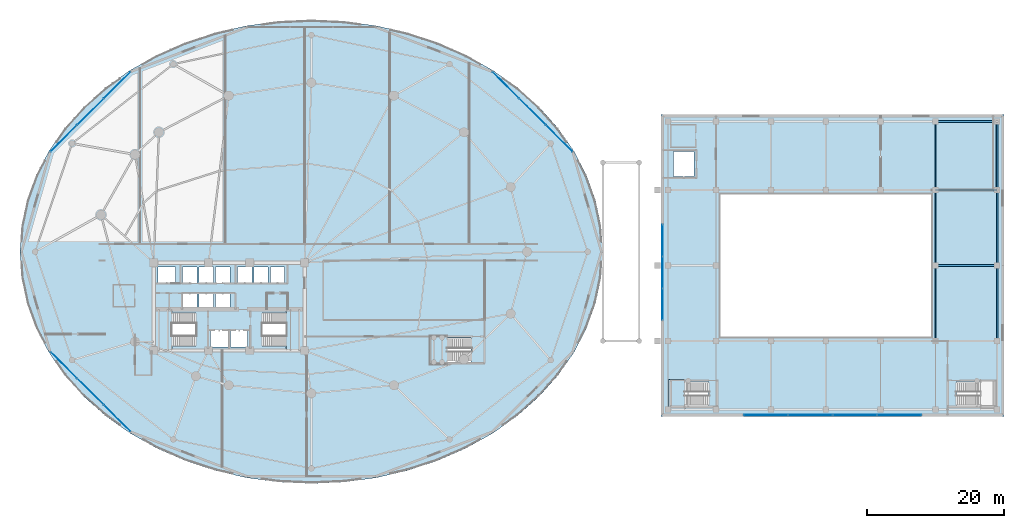
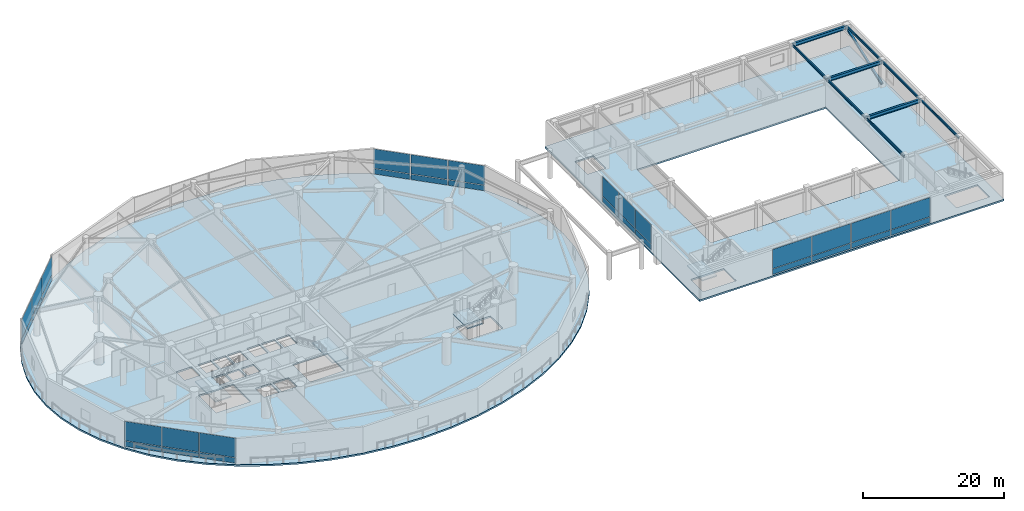
# One storey, part 24 of 40: 32 plates, 9 beams, 6 slabs, 1 member, 10 elements without a shape of their own.
"""IFC4 building model written with IfcOpenShell, lengths in metres."""

from ifc_helpers import new_model, si_unit, direction, frame, origin, origin_2d, place, context, subcontext, project, spatial, polyline, rectangle, hollow_rectangle, i_section, outline, extrude, material, layer, layer_set, material_profile, profile_set, type_object, element, aggregate, save


model = new_model("IFC4")

# Units and contexts
model_context = context("Model", 3, precision=1e-05, world=origin(), true_north=direction((0.0, 1.0)))
body_context = subcontext(model_context, "Body", "Model", "MODEL_VIEW")
ifc_project = project(units=[si_unit("LENGTHUNIT", "METRE"), si_unit("AREAUNIT", "SQUARE_METRE"), si_unit("VOLUMEUNIT", "CUBIC_METRE"), si_unit("PLANEANGLEUNIT", "RADIAN"), si_unit("MASSUNIT", "GRAM", prefix="KILO")], contexts=[model_context])

# Site, building, storey
site_placement = place(None, origin())
site = spatial("IfcSite", under=ifc_project, at=site_placement, CompositionType="ELEMENT")
building_placement = place(site_placement, origin())
building = spatial("IfcBuilding", under=site, at=building_placement, Name="Kazevale Care Tower and Concert Hall", CompositionType="ELEMENT")
storey_placement = place(building_placement, frame((0.0, 0.0, 9.60009765625)))
storey = spatial("IfcBuildingStorey", under=building, at=storey_placement, Name="L02", CompositionType="ELEMENT", Elevation=9.60009765625)

# Beams
ifc_material_1 = material(Name="Steel ASTM A572 Gr 50", Category="steel")
ifc_material_profile_1 = material_profile(ifc_material_1, i_section(OverallWidth=0.323974609375, OverallDepth=0.611083984375, WebThickness=0.0126953125, FlangeThickness=0.01904296875, at=origin_2d()), Name="W610x155")
ifc_profile_set_1 = profile_set([ifc_material_profile_1], Name="Steel ASTM A572 Gr 50")
beam_type_1 = type_object("IfcBeamType", Name="Concert Hall Frame Girder W610x155", PredefinedType="BEAM", material=ifc_profile_set_1)
for number, where, z_axis, x_axis, name in (
    (1, (136.0, 36.0, 4.21435546875), (1.0, 0.0, 0.0), (0.0, 1.0, 0.0), "beam:L02:hx:136_36"),
    (2, (136.0, 47.0, 4.21435546875), (1.0, 0.0, 0.0), (0.0, 1.0, 0.0), "beam:L02:hx:136_47"),
    (3, (136.0, 57.0, 4.21435546875), (1.0, 0.0, 0.0), (0.0, 1.0, 0.0), "beam:L02:hx:136_57"),
):
    element("IfcBeam", number, at=place(storey_placement, frame(where, z_axis=z_axis, x_axis=x_axis)), inside=storey, type_object=beam_type_1, Name=name, PredefinedType="BEAM", context=body_context, shape_type="SweptSolid", body=[
        extrude(i_section(OverallWidth=0.323974609375, OverallDepth=0.611083984375, WebThickness=0.0126953125, FlangeThickness=0.01904296875, at=origin_2d()), origin(), (0.0, 0.0, 1.0), 9.0),
    ])
ifc_material_profile_2 = material_profile(ifc_material_1, i_section(OverallWidth=0.180908203125, OverallDepth=0.4169921875, WebThickness=0.010986328125, FlangeThickness=0.018310546875, at=origin_2d()), Name="W410x85")
ifc_profile_set_2 = profile_set([ifc_material_profile_2], Name="Steel ASTM A572 Gr 50")
beam_type_2 = type_object("IfcBeamType", Name="Concert Hall Secondary Beam W410x85", PredefinedType="BEAM", material=ifc_profile_set_2)
for number, where, z_axis, x_axis, name in (
    (4, (136.0, 25.0, 4.3115234375), (0.0, 1.0, 0.0), (-1.0, 0.0, 0.0), "beam:L02:hy:136_25"),
    (5, (136.0, 36.0, 4.3115234375), (0.0, 1.0, 0.0), (-1.0, 0.0, 0.0), "beam:L02:hy:136_36"),
):
    element("IfcBeam", number, at=place(storey_placement, frame(where, z_axis=z_axis, x_axis=x_axis)), inside=storey, type_object=beam_type_2, Name=name, PredefinedType="BEAM", context=body_context, shape_type="SweptSolid", body=[
        extrude(i_section(OverallWidth=0.180908203125, OverallDepth=0.4169921875, WebThickness=0.010986328125, FlangeThickness=0.018310546875, at=origin_2d()), origin(), (0.0, 0.0, 1.0), 11.0),
    ])
beam_1_placement = place(storey_placement, frame((136.0, 47.0, 4.3115234375), z_axis=(0.0, 1.0, 0.0), x_axis=(-1.0, 0.0, 0.0)))
element("IfcBeam", 6, at=beam_1_placement, inside=storey, type_object=beam_type_2, Name="beam:L02:hy:136_47", PredefinedType="BEAM", context=body_context, shape_type="SweptSolid", body=[
    extrude(i_section(OverallWidth=0.180908203125, OverallDepth=0.4169921875, WebThickness=0.010986328125, FlangeThickness=0.018310546875, at=origin_2d()), origin(), (0.0, 0.0, 1.0), 10.0),
])
for number, where, z_axis, x_axis, name in (
    (7, (145.0, 25.0, 4.3115234375), (0.0, 1.0, 0.0), (-1.0, 0.0, 0.0), "beam:L02:hy:145_25"),
    (8, (145.0, 36.0, 4.3115234375), (0.0, 1.0, 0.0), (-1.0, 0.0, 0.0), "beam:L02:hy:145_36"),
):
    element("IfcBeam", number, at=place(storey_placement, frame(where, z_axis=z_axis, x_axis=x_axis)), inside=storey, type_object=beam_type_2, Name=name, PredefinedType="BEAM", context=body_context, shape_type="SweptSolid", body=[
        extrude(i_section(OverallWidth=0.180908203125, OverallDepth=0.4169921875, WebThickness=0.010986328125, FlangeThickness=0.018310546875, at=origin_2d()), origin(), (0.0, 0.0, 1.0), 11.0),
    ])
beam_2_placement = place(storey_placement, frame((145.0, 47.0, 4.3115234375), z_axis=(0.0, 1.0, 0.0), x_axis=(-1.0, 0.0, 0.0)))
element("IfcBeam", 9, at=beam_2_placement, inside=storey, type_object=beam_type_2, Name="beam:L02:hy:145_47", PredefinedType="BEAM", context=body_context, shape_type="SweptSolid", body=[
    extrude(i_section(OverallWidth=0.180908203125, OverallDepth=0.4169921875, WebThickness=0.010986328125, FlangeThickness=0.018310546875, at=origin_2d()), origin(), (0.0, 0.0, 1.0), 10.0),
])

# Member
ifc_material_profile_3 = material_profile(ifc_material_1, hollow_rectangle(XDim=0.300048828125, YDim=0.300048828125, WallThickness=0.02001953125, at=origin_2d()), Name="SHS300x300x20")
ifc_profile_set_3 = profile_set([ifc_material_profile_3], Name="Steel ASTM A572 Gr 50")
member_type = type_object("IfcMemberType", Name="Concert Hall Wall Brace SHS300x300x20", PredefinedType="BRACE", material=ifc_profile_set_3)
member_placement = place(storey_placement, frame((145.0, 47.0, 0.39990234375), z_axis=(0.0, 0.940283079424, 0.340393493694), x_axis=(-1.0, 0.0, 0.0)))
element("IfcMember", 10, at=member_placement, inside=storey, type_object=member_type, Name="brace:L02:hwW", PredefinedType="BRACE", context=body_context, shape_type="SweptSolid", body=[
    extrude(hollow_rectangle(XDim=0.300048828125, YDim=0.300048828125, WallThickness=0.02001953125, at=origin_2d()), origin(), (0.0, 0.0, 1.0), 10.635009765625),
])

# Curtain wall, plates
ifc_material_2 = material(Name="Aluminium 6063-T6 and Low-E Glass", Category="aluminium")
ifc_layer_1 = layer(ifc_material_2, 0.179931640625)
ifc_layer_set_1 = layer_set([ifc_layer_1], Name="Aluminium 6063-T6 and Low-E Glass")
curtain_wall_type_1 = type_object("IfcCurtainWallType", Name="Podium Double-Skin Medical Curtain Wall CW-1", PredefinedType="NOTDEFINED", material=ifc_layer_set_1)
curtain_wall_1_placement = place(storey_placement, origin())
curtain_wall_1 = element("IfcCurtainWall", 11, at=curtain_wall_1_placement, inside=storey, type_object=curtain_wall_type_1, Name="cw:L02:pod:02", PredefinedType="NOTDEFINED")
ifc_material_3 = material(Name="Low-E Laminated Glass", Category="glass")
ifc_layer_2 = layer(ifc_material_3, 0.030029296875)
ifc_layer_set_2 = layer_set([ifc_layer_2], Name="Low-E Laminated Glass")
plate_type_1 = type_object("IfcPlateType", Name="CW-1 Low-E Glazing Panel 30mm", PredefinedType="CURTAIN_PANEL", material=ifc_layer_set_2)
plate_1_placement = place(storey_placement, frame((81.121826171875, 54.533203125, 0.080078125), z_axis=(0.0, 0.0, 1.0), x_axis=(-0.708554776856, 0.705655814257, 0.0)))
plate_1 = element("IfcPlate", 12, at=plate_1_placement, type_object=plate_type_1, Name="CW-1 panel 1.1", PredefinedType="CURTAIN_PANEL", context=body_context, shape_type="SweptSolid", body=[
    extrude(rectangle(XDim=5.38427734375, YDim=0.030029296875, at=origin_2d()), origin(), (0.0, 0.0, 1.0), 0.929931640625),
])
plate_2_placement = place(storey_placement, frame((81.121826171875, 54.533203125, 1.08984375), z_axis=(0.0, 0.0, 1.0), x_axis=(-0.708554776856, 0.705655814257, 0.0)))
plate_2 = element("IfcPlate", 13, at=plate_2_placement, type_object=plate_type_1, Name="CW-1 panel 1.2", PredefinedType="CURTAIN_PANEL", context=body_context, shape_type="SweptSolid", body=[
    extrude(rectangle(XDim=5.38427734375, YDim=0.030029296875, at=origin_2d()), origin(), (0.0, 0.0, 1.0), 3.35009765625),
])
plate_3_placement = place(storey_placement, frame((77.22705078125, 58.412109375, 0.080078125), z_axis=(0.0, 0.0, 1.0), x_axis=(-0.708554776856, 0.705655814257, 0.0)))
plate_3 = element("IfcPlate", 14, at=plate_3_placement, type_object=plate_type_1, Name="CW-1 panel 2.1", PredefinedType="CURTAIN_PANEL", context=body_context, shape_type="SweptSolid", body=[
    extrude(rectangle(XDim=5.42919921875, YDim=0.030029296875, at=origin_2d()), origin(), (0.0, 0.0, 1.0), 0.929931640625),
])
plate_4_placement = place(storey_placement, frame((77.22705078125, 58.412109375, 1.08984375), z_axis=(0.0, 0.0, 1.0), x_axis=(-0.708554776856, 0.705655814257, 0.0)))
plate_4 = element("IfcPlate", 15, at=plate_4_placement, type_object=plate_type_1, Name="CW-1 panel 2.2", PredefinedType="CURTAIN_PANEL", context=body_context, shape_type="SweptSolid", body=[
    extrude(rectangle(XDim=5.42919921875, YDim=0.030029296875, at=origin_2d()), origin(), (0.0, 0.0, 1.0), 3.35009765625),
])
plate_5_placement = place(storey_placement, frame((73.332275390625, 62.290771484375, 0.080078125), z_axis=(0.0, 0.0, 1.0), x_axis=(-0.708554776856, 0.705655814257, 0.0)))
plate_5 = element("IfcPlate", 16, at=plate_5_placement, type_object=plate_type_1, Name="CW-1 panel 3.1", PredefinedType="CURTAIN_PANEL", context=body_context, shape_type="SweptSolid", body=[
    extrude(rectangle(XDim=5.38427734375, YDim=0.030029296875, at=origin_2d()), origin(), (0.0, 0.0, 1.0), 0.929931640625),
])
plate_6_placement = place(storey_placement, frame((73.332275390625, 62.290771484375, 1.08984375), z_axis=(0.0, 0.0, 1.0), x_axis=(-0.708554776856, 0.705655814257, 0.0)))
plate_6 = element("IfcPlate", 17, at=plate_6_placement, type_object=plate_type_1, Name="CW-1 panel 3.2", PredefinedType="CURTAIN_PANEL", context=body_context, shape_type="SweptSolid", body=[
    extrude(rectangle(XDim=5.38427734375, YDim=0.030029296875, at=origin_2d()), origin(), (0.0, 0.0, 1.0), 3.35009765625),
])
aggregate(curtain_wall_1, [plate_1, plate_2, plate_3, plate_4, plate_5, plate_6])

curtain_wall_2_placement = place(storey_placement, origin())
curtain_wall_2 = element("IfcCurtainWall", 18, at=curtain_wall_2_placement, inside=storey, type_object=curtain_wall_type_1, Name="cw:L02:pod:06", PredefinedType="NOTDEFINED")
plate_7_placement = place(storey_placement, frame((16.667724609375, 62.290771484375, 0.080078125), z_axis=(0.0, 0.0, 1.0), x_axis=(-0.708554776856, -0.705655814257, 0.0)))
plate_7 = element("IfcPlate", 19, at=plate_7_placement, type_object=plate_type_1, Name="CW-1 panel 1.1", PredefinedType="CURTAIN_PANEL", context=body_context, shape_type="SweptSolid", body=[
    extrude(rectangle(XDim=5.38427734375, YDim=0.030029296875, at=origin_2d()), origin(), (0.0, 0.0, 1.0), 0.929931640625),
])
plate_8_placement = place(storey_placement, frame((16.667724609375, 62.290771484375, 1.08984375), z_axis=(0.0, 0.0, 1.0), x_axis=(-0.708554776856, -0.705655814257, 0.0)))
plate_8 = element("IfcPlate", 20, at=plate_8_placement, type_object=plate_type_1, Name="CW-1 panel 1.2", PredefinedType="CURTAIN_PANEL", context=body_context, shape_type="SweptSolid", body=[
    extrude(rectangle(XDim=5.38427734375, YDim=0.030029296875, at=origin_2d()), origin(), (0.0, 0.0, 1.0), 3.35009765625),
])
plate_9_placement = place(storey_placement, frame((12.77294921875, 58.412109375, 0.080078125), z_axis=(0.0, 0.0, 1.0), x_axis=(-0.708554776856, -0.705655814257, 0.0)))
plate_9 = element("IfcPlate", 21, at=plate_9_placement, type_object=plate_type_1, Name="CW-1 panel 2.1", PredefinedType="CURTAIN_PANEL", context=body_context, shape_type="SweptSolid", body=[
    extrude(rectangle(XDim=5.42919921875, YDim=0.030029296875, at=origin_2d()), origin(), (0.0, 0.0, 1.0), 0.929931640625),
])
plate_10_placement = place(storey_placement, frame((12.77294921875, 58.412109375, 1.08984375), z_axis=(0.0, 0.0, 1.0), x_axis=(-0.708554776856, -0.705655814257, 0.0)))
plate_10 = element("IfcPlate", 22, at=plate_10_placement, type_object=plate_type_1, Name="CW-1 panel 2.2", PredefinedType="CURTAIN_PANEL", context=body_context, shape_type="SweptSolid", body=[
    extrude(rectangle(XDim=5.42919921875, YDim=0.030029296875, at=origin_2d()), origin(), (0.0, 0.0, 1.0), 3.35009765625),
])
plate_11_placement = place(storey_placement, frame((8.878173828125, 54.533203125, 0.080078125), z_axis=(0.0, 0.0, 1.0), x_axis=(-0.708554776856, -0.705655814257, 0.0)))
plate_11 = element("IfcPlate", 23, at=plate_11_placement, type_object=plate_type_1, Name="CW-1 panel 3.1", PredefinedType="CURTAIN_PANEL", context=body_context, shape_type="SweptSolid", body=[
    extrude(rectangle(XDim=5.38427734375, YDim=0.030029296875, at=origin_2d()), origin(), (0.0, 0.0, 1.0), 0.929931640625),
])
plate_12_placement = place(storey_placement, frame((8.878173828125, 54.533203125, 1.08984375), z_axis=(0.0, 0.0, 1.0), x_axis=(-0.708554776856, -0.705655814257, 0.0)))
plate_12 = element("IfcPlate", 24, at=plate_12_placement, type_object=plate_type_1, Name="CW-1 panel 3.2", PredefinedType="CURTAIN_PANEL", context=body_context, shape_type="SweptSolid", body=[
    extrude(rectangle(XDim=5.38427734375, YDim=0.030029296875, at=origin_2d()), origin(), (0.0, 0.0, 1.0), 3.35009765625),
])
aggregate(curtain_wall_2, [plate_7, plate_8, plate_9, plate_10, plate_11, plate_12])

curtain_wall_3_placement = place(storey_placement, origin())
curtain_wall_3 = element("IfcCurtainWall", 25, at=curtain_wall_3_placement, inside=storey, type_object=curtain_wall_type_1, Name="cw:L02:pod:09", PredefinedType="NOTDEFINED")
plate_13_placement = place(storey_placement, frame((8.878173828125, 21.466796875, 0.080078125), z_axis=(0.0, 0.0, 1.0), x_axis=(0.708554776856, -0.705655814257, 0.0)))
plate_13 = element("IfcPlate", 26, at=plate_13_placement, type_object=plate_type_1, Name="CW-1 panel 1.1", PredefinedType="CURTAIN_PANEL", context=body_context, shape_type="SweptSolid", body=[
    extrude(rectangle(XDim=5.38427734375, YDim=0.030029296875, at=origin_2d()), origin(), (0.0, 0.0, 1.0), 0.929931640625),
])
plate_14_placement = place(storey_placement, frame((8.878173828125, 21.466796875, 1.08984375), z_axis=(0.0, 0.0, 1.0), x_axis=(0.708554776856, -0.705655814257, 0.0)))
plate_14 = element("IfcPlate", 27, at=plate_14_placement, type_object=plate_type_1, Name="CW-1 panel 1.2", PredefinedType="CURTAIN_PANEL", context=body_context, shape_type="SweptSolid", body=[
    extrude(rectangle(XDim=5.38427734375, YDim=0.030029296875, at=origin_2d()), origin(), (0.0, 0.0, 1.0), 3.35009765625),
])
plate_15_placement = place(storey_placement, frame((12.77294921875, 17.587890625, 0.080078125), z_axis=(0.0, 0.0, 1.0), x_axis=(0.708554776856, -0.705655814257, 0.0)))
plate_15 = element("IfcPlate", 28, at=plate_15_placement, type_object=plate_type_1, Name="CW-1 panel 2.1", PredefinedType="CURTAIN_PANEL", context=body_context, shape_type="SweptSolid", body=[
    extrude(rectangle(XDim=5.42919921875, YDim=0.030029296875, at=origin_2d()), origin(), (0.0, 0.0, 1.0), 0.929931640625),
])
plate_16_placement = place(storey_placement, frame((12.77294921875, 17.587890625, 1.08984375), z_axis=(0.0, 0.0, 1.0), x_axis=(0.708554776856, -0.705655814257, 0.0)))
plate_16 = element("IfcPlate", 29, at=plate_16_placement, type_object=plate_type_1, Name="CW-1 panel 2.2", PredefinedType="CURTAIN_PANEL", context=body_context, shape_type="SweptSolid", body=[
    extrude(rectangle(XDim=5.42919921875, YDim=0.030029296875, at=origin_2d()), origin(), (0.0, 0.0, 1.0), 3.35009765625),
])
plate_17_placement = place(storey_placement, frame((16.667724609375, 13.709228515625, 0.080078125), z_axis=(0.0, 0.0, 1.0), x_axis=(0.708554776856, -0.705655814257, 0.0)))
plate_17 = element("IfcPlate", 30, at=plate_17_placement, type_object=plate_type_1, Name="CW-1 panel 3.1", PredefinedType="CURTAIN_PANEL", context=body_context, shape_type="SweptSolid", body=[
    extrude(rectangle(XDim=5.38427734375, YDim=0.030029296875, at=origin_2d()), origin(), (0.0, 0.0, 1.0), 0.929931640625),
])
plate_18_placement = place(storey_placement, frame((16.667724609375, 13.709228515625, 1.08984375), z_axis=(0.0, 0.0, 1.0), x_axis=(0.708554776856, -0.705655814257, 0.0)))
plate_18 = element("IfcPlate", 31, at=plate_18_placement, type_object=plate_type_1, Name="CW-1 panel 3.2", PredefinedType="CURTAIN_PANEL", context=body_context, shape_type="SweptSolid", body=[
    extrude(rectangle(XDim=5.38427734375, YDim=0.030029296875, at=origin_2d()), origin(), (0.0, 0.0, 1.0), 3.35009765625),
])
aggregate(curtain_wall_3, [plate_13, plate_14, plate_15, plate_16, plate_17, plate_18])

ifc_layer_3 = layer(ifc_material_2, 0.179931640625)
ifc_layer_set_3 = layer_set([ifc_layer_3], Name="Aluminium 6063-T6 and Low-E Glass")
curtain_wall_type_2 = type_object("IfcCurtainWallType", Name="Concert Hall Foyer Storefront Curtain Wall CW-6", PredefinedType="NOTDEFINED", material=ifc_layer_set_3)
curtain_wall_4_placement = place(storey_placement, origin())
curtain_wall_4 = element("IfcCurtainWall", 32, at=curtain_wall_4_placement, inside=storey, type_object=curtain_wall_type_2, Name="cw:L02:hall:S2", PredefinedType="NOTDEFINED")
ifc_layer_4 = layer(ifc_material_3, 0.031982421875)
ifc_layer_set_4 = layer_set([ifc_layer_4], Name="Low-E Laminated Glass")
plate_type_2 = type_object("IfcPlateType", Name="CW-6 Low-E Glazing Panel 32mm", PredefinedType="CURTAIN_PANEL", material=ifc_layer_set_4)
plate_19_placement = place(storey_placement, frame((111.2724609375, 14.199951171875, 0.080078125), z_axis=(0.0, 0.0, 1.0), x_axis=(1.0, 0.0, 0.0)))
plate_19 = element("IfcPlate", 33, at=plate_19_placement, type_object=plate_type_2, Name="CW-6 panel 1.1", PredefinedType="CURTAIN_PANEL", context=body_context, shape_type="SweptSolid", body=[
    extrude(rectangle(XDim=6.364990234375, YDim=0.031982421875, at=origin_2d()), origin(), (0.0, 0.0, 1.0), 0.929931640625),
])
plate_20_placement = place(storey_placement, frame((111.2724609375, 14.199951171875, 1.08984375), z_axis=(0.0, 0.0, 1.0), x_axis=(1.0, 0.0, 0.0)))
plate_20 = element("IfcPlate", 34, at=plate_20_placement, type_object=plate_type_2, Name="CW-6 panel 1.2", PredefinedType="CURTAIN_PANEL", context=body_context, shape_type="SweptSolid", body=[
    extrude(rectangle(XDim=6.364990234375, YDim=0.031982421875, at=origin_2d()), origin(), (0.0, 0.0, 1.0), 3.35009765625),
])
plate_21_placement = place(storey_placement, frame((117.7275390625, 14.199951171875, 0.080078125), z_axis=(0.0, 0.0, 1.0), x_axis=(1.0, 0.0, 0.0)))
plate_21 = element("IfcPlate", 35, at=plate_21_placement, type_object=plate_type_2, Name="CW-6 panel 2.1", PredefinedType="CURTAIN_PANEL", context=body_context, shape_type="SweptSolid", body=[
    extrude(rectangle(XDim=6.364990234375, YDim=0.031982421875, at=origin_2d()), origin(), (0.0, 0.0, 1.0), 0.929931640625),
])
plate_22_placement = place(storey_placement, frame((117.7275390625, 14.199951171875, 1.08984375), z_axis=(0.0, 0.0, 1.0), x_axis=(1.0, 0.0, 0.0)))
plate_22 = element("IfcPlate", 36, at=plate_22_placement, type_object=plate_type_2, Name="CW-6 panel 2.2", PredefinedType="CURTAIN_PANEL", context=body_context, shape_type="SweptSolid", body=[
    extrude(rectangle(XDim=6.364990234375, YDim=0.031982421875, at=origin_2d()), origin(), (0.0, 0.0, 1.0), 3.35009765625),
])
aggregate(curtain_wall_4, [plate_19, plate_20, plate_21, plate_22])

curtain_wall_5_placement = place(storey_placement, origin())
curtain_wall_5 = element("IfcCurtainWall", 37, at=curtain_wall_5_placement, inside=storey, type_object=curtain_wall_type_2, Name="cw:L02:hall:S3", PredefinedType="NOTDEFINED")
plate_23_placement = place(storey_placement, frame((124.2724609375, 14.199951171875, 0.080078125), z_axis=(0.0, 0.0, 1.0), x_axis=(1.0, 0.0, 0.0)))
plate_23 = element("IfcPlate", 38, at=plate_23_placement, type_object=plate_type_2, Name="CW-6 panel 1.1", PredefinedType="CURTAIN_PANEL", context=body_context, shape_type="SweptSolid", body=[
    extrude(rectangle(XDim=6.364990234375, YDim=0.031982421875, at=origin_2d()), origin(), (0.0, 0.0, 1.0), 0.929931640625),
])
plate_24_placement = place(storey_placement, frame((124.2724609375, 14.199951171875, 1.08984375), z_axis=(0.0, 0.0, 1.0), x_axis=(1.0, 0.0, 0.0)))
plate_24 = element("IfcPlate", 39, at=plate_24_placement, type_object=plate_type_2, Name="CW-6 panel 1.2", PredefinedType="CURTAIN_PANEL", context=body_context, shape_type="SweptSolid", body=[
    extrude(rectangle(XDim=6.364990234375, YDim=0.031982421875, at=origin_2d()), origin(), (0.0, 0.0, 1.0), 3.35009765625),
])
plate_25_placement = place(storey_placement, frame((130.7275390625, 14.199951171875, 0.080078125), z_axis=(0.0, 0.0, 1.0), x_axis=(1.0, 0.0, 0.0)))
plate_25 = element("IfcPlate", 40, at=plate_25_placement, type_object=plate_type_2, Name="CW-6 panel 2.1", PredefinedType="CURTAIN_PANEL", context=body_context, shape_type="SweptSolid", body=[
    extrude(rectangle(XDim=6.364990234375, YDim=0.031982421875, at=origin_2d()), origin(), (0.0, 0.0, 1.0), 0.929931640625),
])
plate_26_placement = place(storey_placement, frame((130.7275390625, 14.199951171875, 1.08984375), z_axis=(0.0, 0.0, 1.0), x_axis=(1.0, 0.0, 0.0)))
plate_26 = element("IfcPlate", 41, at=plate_26_placement, type_object=plate_type_2, Name="CW-6 panel 2.2", PredefinedType="CURTAIN_PANEL", context=body_context, shape_type="SweptSolid", body=[
    extrude(rectangle(XDim=6.364990234375, YDim=0.031982421875, at=origin_2d()), origin(), (0.0, 0.0, 1.0), 3.35009765625),
])
aggregate(curtain_wall_5, [plate_23, plate_24, plate_25, plate_26])

curtain_wall_6_placement = place(storey_placement, origin())
curtain_wall_6 = element("IfcCurtainWall", 42, at=curtain_wall_6_placement, inside=storey, type_object=curtain_wall_type_2, Name="cw:L02:hall:W2", PredefinedType="NOTDEFINED")
plate_27_placement = place(storey_placement, frame((96.199951171875, 39.644287109375, 0.080078125), z_axis=(0.0, 0.0, 1.0), x_axis=(0.0, -1.0, 0.0)))
plate_27 = element("IfcPlate", 43, at=plate_27_placement, type_object=plate_type_2, Name="CW-6 panel 1.1", PredefinedType="CURTAIN_PANEL", context=body_context, shape_type="SweptSolid", body=[
    extrude(rectangle(XDim=4.53173828125, YDim=0.031982421875, at=origin_2d()), origin(), (0.0, 0.0, 1.0), 0.929931640625),
])
plate_28_placement = place(storey_placement, frame((96.199951171875, 39.644287109375, 1.08984375), z_axis=(0.0, 0.0, 1.0), x_axis=(0.0, -1.0, 0.0)))
plate_28 = element("IfcPlate", 44, at=plate_28_placement, type_object=plate_type_2, Name="CW-6 panel 1.2", PredefinedType="CURTAIN_PANEL", context=body_context, shape_type="SweptSolid", body=[
    extrude(rectangle(XDim=4.53173828125, YDim=0.031982421875, at=origin_2d()), origin(), (0.0, 0.0, 1.0), 3.35009765625),
])
plate_29_placement = place(storey_placement, frame((96.199951171875, 35.0, 0.080078125), z_axis=(0.0, 0.0, 1.0), x_axis=(0.0, -1.0, 0.0)))
plate_29 = element("IfcPlate", 45, at=plate_29_placement, type_object=plate_type_2, Name="CW-6 panel 2.1", PredefinedType="CURTAIN_PANEL", context=body_context, shape_type="SweptSolid", body=[
    extrude(rectangle(XDim=4.57666015625, YDim=0.031982421875, at=origin_2d()), origin(), (0.0, 0.0, 1.0), 0.929931640625),
])
plate_30_placement = place(storey_placement, frame((96.199951171875, 35.0, 1.08984375), z_axis=(0.0, 0.0, 1.0), x_axis=(0.0, -1.0, 0.0)))
plate_30 = element("IfcPlate", 46, at=plate_30_placement, type_object=plate_type_2, Name="CW-6 panel 2.2", PredefinedType="CURTAIN_PANEL", context=body_context, shape_type="SweptSolid", body=[
    extrude(rectangle(XDim=4.57666015625, YDim=0.031982421875, at=origin_2d()), origin(), (0.0, 0.0, 1.0), 3.35009765625),
])
plate_31_placement = place(storey_placement, frame((96.199951171875, 30.355712890625, 0.080078125), z_axis=(0.0, 0.0, 1.0), x_axis=(0.0, -1.0, 0.0)))
plate_31 = element("IfcPlate", 47, at=plate_31_placement, type_object=plate_type_2, Name="CW-6 panel 3.1", PredefinedType="CURTAIN_PANEL", context=body_context, shape_type="SweptSolid", body=[
    extrude(rectangle(XDim=4.53173828125, YDim=0.031982421875, at=origin_2d()), origin(), (0.0, 0.0, 1.0), 0.929931640625),
])
plate_32_placement = place(storey_placement, frame((96.199951171875, 30.355712890625, 1.08984375), z_axis=(0.0, 0.0, 1.0), x_axis=(0.0, -1.0, 0.0)))
plate_32 = element("IfcPlate", 48, at=plate_32_placement, type_object=plate_type_2, Name="CW-6 panel 3.2", PredefinedType="CURTAIN_PANEL", context=body_context, shape_type="SweptSolid", body=[
    extrude(rectangle(XDim=4.53173828125, YDim=0.031982421875, at=origin_2d()), origin(), (0.0, 0.0, 1.0), 3.35009765625),
])
aggregate(curtain_wall_6, [plate_27, plate_28, plate_29, plate_30, plate_31, plate_32])

# Slabs
ifc_material_4 = material(Name="Concrete C40", Category="concrete")
ifc_layer_5 = layer(ifc_material_4, 0.280029296875)
ifc_layer_set_5 = layer_set([ifc_layer_5], Name="Concrete C40")
slab_type_1 = type_object("IfcSlabType", Name="Concert Hall Floor Slab 280", PredefinedType="FLOOR", material=ifc_layer_set_5)
slab_1_placement = place(storey_placement, frame((0.0, 0.0, -0.280029296875)))
element("IfcSlab", 49, at=slab_1_placement, inside=storey, type_object=slab_type_1, Name="slab:L02:hall", PredefinedType="FLOOR", context=body_context, shape_type="SweptSolid", body=[
    extrude(outline(polyline([(96.0, 14.0), (146.0, 14.0), (146.0, 58.0), (96.0, 58.0), (96.0, 14.0)]), holes=[polyline([(97.449951171875, 15.550048828125), (102.909912109375, 15.550048828125), (102.909912109375, 19.050048828125), (97.449951171875, 19.050048828125), (97.449951171875, 15.550048828125)]), polyline([(139.090087890625, 15.550048828125), (144.550048828125, 15.550048828125), (144.550048828125, 19.050048828125), (139.090087890625, 19.050048828125), (139.090087890625, 15.550048828125)]), polyline([(97.800048828125, 49.0), (100.800048828125, 49.0), (100.800048828125, 52.60009765625), (97.800048828125, 52.60009765625), (97.800048828125, 49.0)]), polyline([(104.5, 25.5), (135.5, 25.5), (135.5, 46.5), (104.5, 46.5), (104.5, 25.5)])]), origin(), (0.0, 0.0, 1.0), 0.280029296875),
])
ifc_layer_6 = layer(ifc_material_4, 0.280029296875)
ifc_layer_set_6 = layer_set([ifc_layer_6], Name="Concrete C40")
slab_type_2 = type_object("IfcSlabType", Name="Podium Clinic Floor Slab 280", PredefinedType="FLOOR", material=ifc_layer_set_6)
slab_2_placement = place(storey_placement, frame((0.0, 0.0, -0.280029296875)))
element("IfcSlab", 50, at=slab_2_placement, inside=storey, type_object=slab_type_2, Name="slab:L02:tw:1", PredefinedType="FLOOR", context=body_context, shape_type="SweptSolid", body=[
    extrude(outline(polyline([(87.5, 38.0), (87.23291015625, 41.784423828125), (86.434326171875, 45.521240234375), (85.114990234375, 49.163330078125), (83.291259765625, 52.665283203125), (80.98583984375, 55.982666015625), (78.227783203125, 59.073974609375), (75.052001953125, 61.900146484375), (71.498291015625, 64.42578125), (67.611328125, 66.619384765625), (63.440185546875, 68.45263671875), (59.036865234375, 69.9033203125), (54.45703125, 70.95263671875), (49.758544921875, 71.58740234375), (45.0, 71.800048828125), (40.241455078125, 71.58740234375), (35.54296875, 70.95263671875), (30.963134765625, 69.9033203125), (26.559814453125, 68.45263671875), (22.388671875, 66.619384765625), (18.501708984375, 64.42578125), (14.947998046875, 61.900146484375), (11.772216796875, 59.073974609375), (9.01416015625, 55.982666015625), (6.708740234375, 52.665283203125), (4.885009765625, 49.163330078125), (3.565673828125, 45.521240234375), (2.76708984375, 41.784423828125), (2.5, 38.0), (2.76708984375, 34.215576171875), (3.565673828125, 30.478759765625), (4.885009765625, 26.836669921875), (6.708740234375, 23.334716796875), (9.01416015625, 20.017333984375), (11.772216796875, 16.926025390625), (14.947998046875, 14.099853515625), (18.501708984375, 11.57421875), (22.388671875, 9.380615234375), (26.559814453125, 7.54736328125), (30.963134765625, 6.0966796875), (35.54296875, 5.04736328125), (40.241455078125, 4.41259765625), (45.0, 4.199951171875), (49.758544921875, 4.41259765625), (54.45703125, 5.04736328125), (59.036865234375, 6.0966796875), (63.440185546875, 7.54736328125), (67.611328125, 9.380615234375), (71.498291015625, 11.57421875), (75.052001953125, 14.099853515625), (78.227783203125, 16.926025390625), (80.98583984375, 20.017333984375), (83.291259765625, 23.334716796875), (85.114990234375, 26.836669921875), (86.434326171875, 30.478759765625), (87.23291015625, 34.215576171875), (87.5, 38.0)]), holes=[polyline([(22.449951171875, 24.14990234375), (28.110107421875, 24.14990234375), (28.110107421875, 29.14990234375), (22.449951171875, 29.14990234375), (22.449951171875, 24.14990234375)]), polyline([(37.889892578125, 24.14990234375), (43.550048828125, 24.14990234375), (43.550048828125, 29.14990234375), (37.889892578125, 29.14990234375), (37.889892578125, 24.14990234375)]), polyline([(30.300048828125, 24.10009765625), (32.800048828125, 24.10009765625), (32.800048828125, 26.60009765625), (30.300048828125, 26.60009765625), (30.300048828125, 24.10009765625)]), polyline([(33.199951171875, 24.10009765625), (35.699951171875, 24.10009765625), (35.699951171875, 26.60009765625), (33.199951171875, 26.60009765625), (33.199951171875, 24.10009765625)]), polyline([(22.60009765625, 33.39990234375), (25.199951171875, 33.39990234375), (25.199951171875, 35.800048828125), (22.60009765625, 35.800048828125), (22.60009765625, 33.39990234375)]), polyline([(26.199951171875, 33.39990234375), (28.300048828125, 33.39990234375), (28.300048828125, 35.800048828125), (26.199951171875, 35.800048828125), (26.199951171875, 33.39990234375)]), polyline([(28.60009765625, 33.39990234375), (30.699951171875, 33.39990234375), (30.699951171875, 35.800048828125), (28.60009765625, 35.800048828125), (28.60009765625, 33.39990234375)]), polyline([(31.0, 33.39990234375), (33.10009765625, 33.39990234375), (33.10009765625, 35.800048828125), (31.0, 35.800048828125), (31.0, 33.39990234375)]), polyline([(34.199951171875, 33.39990234375), (36.300048828125, 33.39990234375), (36.300048828125, 35.800048828125), (34.199951171875, 35.800048828125), (34.199951171875, 33.39990234375)]), polyline([(36.60009765625, 33.39990234375), (38.699951171875, 33.39990234375), (38.699951171875, 35.800048828125), (36.60009765625, 35.800048828125), (36.60009765625, 33.39990234375)]), polyline([(39.0, 33.39990234375), (41.10009765625, 33.39990234375), (41.10009765625, 35.800048828125), (39.0, 35.800048828125), (39.0, 33.39990234375)]), polyline([(26.199951171875, 29.949951171875), (28.300048828125, 29.949951171875), (28.300048828125, 31.949951171875), (26.199951171875, 31.949951171875), (26.199951171875, 29.949951171875)]), polyline([(28.60009765625, 29.949951171875), (30.699951171875, 29.949951171875), (30.699951171875, 31.949951171875), (28.60009765625, 31.949951171875), (28.60009765625, 29.949951171875)]), polyline([(31.0, 29.949951171875), (33.10009765625, 29.949951171875), (33.10009765625, 31.949951171875), (31.0, 31.949951171875), (31.0, 29.949951171875)]), polyline([(62.60009765625, 21.949951171875), (68.260009765625, 21.949951171875), (68.260009765625, 25.449951171875), (62.60009765625, 25.449951171875), (62.60009765625, 21.949951171875)])]), origin(), (0.0, 0.0, 1.0), 0.280029296875),
])

# Stair, slab
stair_type_1 = type_object("IfcStairType", Name="Exit Stair Assembly ST1-P", PredefinedType="HALF_TURN_STAIR", material=ifc_material_4)
stair_1_placement = place(storey_placement, origin())
stair_1 = element("IfcStair", 51, at=stair_1_placement, inside=storey, type_object=stair_type_1, Name="stair:L02:ST1", PredefinedType="HALF_TURN_STAIR")
ifc_layer_7 = layer(ifc_material_4, 0.199951171875)
ifc_layer_set_7 = layer_set([ifc_layer_7], Name="Concrete C40")
slab_type_3 = type_object("IfcSlabType", Name="Stair Half-Landing Slab ST1-P", PredefinedType="LANDING", material=ifc_layer_set_7)
slab_3_placement = place(storey_placement, frame((0.0, 0.0, 2.199951171875)))
slab_3 = element("IfcSlab", 52, at=slab_3_placement, type_object=slab_type_3, Name="ST1-P landing 1", PredefinedType="LANDING", context=body_context, shape_type="SweptSolid", body=[
    extrude(outline(polyline([(22.050048828125, 23.699951171875), (24.68994140625, 23.699951171875), (24.68994140625, 29.5), (22.050048828125, 29.5), (22.050048828125, 23.699951171875)])), origin(), (0.0, 0.0, 1.0), 0.199951171875),
])
aggregate(stair_1, [slab_3])

stair_2_placement = place(storey_placement, origin())
stair_2 = element("IfcStair", 53, at=stair_2_placement, inside=storey, type_object=stair_type_1, Name="stair:L02:ST2", PredefinedType="HALF_TURN_STAIR")
slab_4_placement = place(storey_placement, frame((0.0, 0.0, 2.199951171875)))
slab_4 = element("IfcSlab", 54, at=slab_4_placement, type_object=slab_type_3, Name="ST1-P landing 1", PredefinedType="LANDING", context=body_context, shape_type="SweptSolid", body=[
    extrude(outline(polyline([(41.31005859375, 23.699951171875), (43.949951171875, 23.699951171875), (43.949951171875, 29.5), (41.31005859375, 29.5), (41.31005859375, 23.699951171875)])), origin(), (0.0, 0.0, 1.0), 0.199951171875),
])
aggregate(stair_2, [slab_4])

stair_type_2 = type_object("IfcStairType", Name="Exit Stair Assembly ST3-P", PredefinedType="HALF_TURN_STAIR", material=ifc_material_4)
stair_3_placement = place(storey_placement, origin())
stair_3 = element("IfcStair", 55, at=stair_3_placement, inside=storey, type_object=stair_type_2, Name="stair:L02:ST3", PredefinedType="HALF_TURN_STAIR")
ifc_layer_8 = layer(ifc_material_4, 0.199951171875)
ifc_layer_set_8 = layer_set([ifc_layer_8], Name="Concrete C40")
slab_type_4 = type_object("IfcSlabType", Name="Stair Half-Landing Slab ST3-P", PredefinedType="LANDING", material=ifc_layer_set_8)
slab_5_placement = place(storey_placement, frame((0.0, 0.0, 2.199951171875)))
slab_5 = element("IfcSlab", 56, at=slab_5_placement, type_object=slab_type_4, Name="ST3-P landing 1", PredefinedType="LANDING", context=body_context, shape_type="SweptSolid", body=[
    extrude(outline(polyline([(62.199951171875, 21.5), (64.840087890625, 21.5), (64.840087890625, 25.800048828125), (62.199951171875, 25.800048828125), (62.199951171875, 21.5)])), origin(), (0.0, 0.0, 1.0), 0.199951171875),
])
aggregate(stair_3, [slab_5])

stair_type_3 = type_object("IfcStairType", Name="Exit Stair Assembly ST4-H", PredefinedType="HALF_TURN_STAIR", material=ifc_material_4)
stair_4_placement = place(storey_placement, origin())
stair_4 = element("IfcStair", 57, at=stair_4_placement, inside=storey, type_object=stair_type_3, Name="stair:L02:ST4", PredefinedType="HALF_TURN_STAIR")
ifc_layer_9 = layer(ifc_material_4, 0.199951171875)
ifc_layer_set_9 = layer_set([ifc_layer_9], Name="Concrete C40")
slab_type_5 = type_object("IfcSlabType", Name="Stair Half-Landing Slab ST4-H", PredefinedType="LANDING", material=ifc_layer_set_9)
slab_6_placement = place(storey_placement, frame((0.0, 0.0, 2.199951171875)))
slab_6 = element("IfcSlab", 58, at=slab_6_placement, type_object=slab_type_5, Name="ST4-H landing 1", PredefinedType="LANDING", context=body_context, shape_type="SweptSolid", body=[
    extrude(outline(polyline([(97.050048828125, 15.10009765625), (99.489990234375, 15.10009765625), (99.489990234375, 19.39990234375), (97.050048828125, 19.39990234375), (97.050048828125, 15.10009765625)])), origin(), (0.0, 0.0, 1.0), 0.199951171875),
])
aggregate(stair_4, [slab_6])

save(model, "model.ifc")
